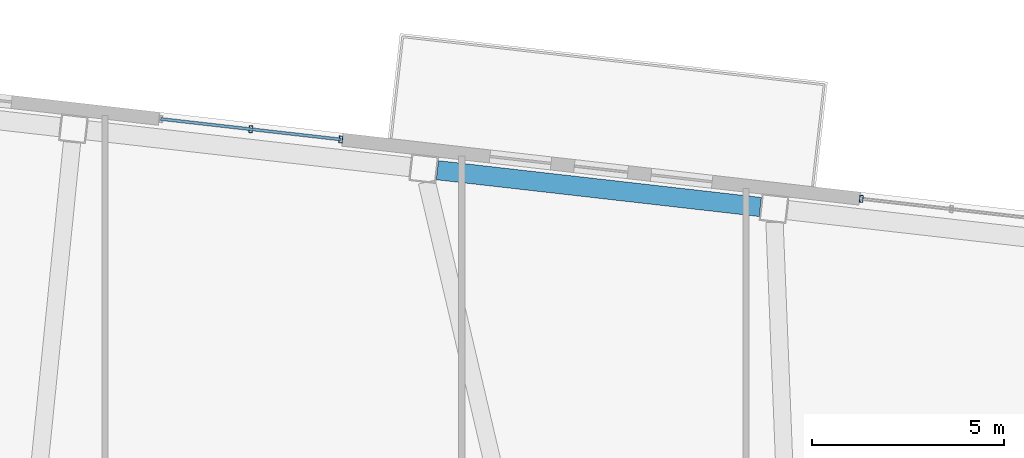
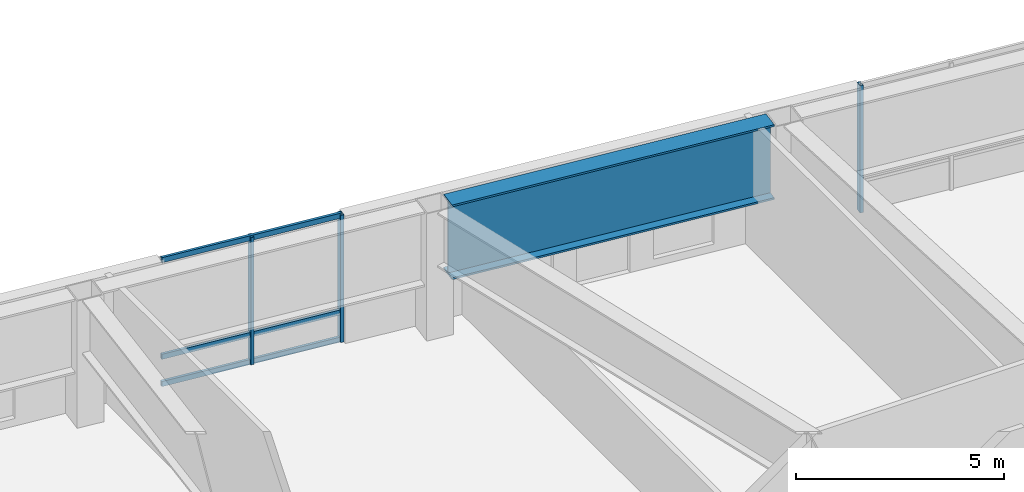
# One storey, part 8 of 21: 6 members, 1 beam, 2 elements without a shape of their own.
"""IFC4 building model written with IfcOpenShell, lengths in metres."""

from ifc_helpers import new_model, si_unit, direction, frame, origin, origin_2d, place, context, subcontext, project, spatial, hollow_rectangle, i_section, extrude, material, layer, layer_set, material_profile, profile_set, type_object, element, aggregate, save


model = new_model("IFC4")

# Units and contexts
model_context = context("Model", 3, precision=1e-05, world=origin(), true_north=direction((0.0, 1.0)))
body_context = subcontext(model_context, "Body", "Model", "MODEL_VIEW")
ifc_project = project(units=[si_unit("LENGTHUNIT", "METRE"), si_unit("AREAUNIT", "SQUARE_METRE"), si_unit("VOLUMEUNIT", "CUBIC_METRE"), si_unit("PLANEANGLEUNIT", "RADIAN"), si_unit("MASSUNIT", "GRAM", prefix="KILO")], contexts=[model_context])

# Site, building, storey
site_placement = place(None, origin())
site = spatial("IfcSite", under=ifc_project, at=site_placement, CompositionType="ELEMENT")
building_placement = place(site_placement, origin())
building = spatial("IfcBuilding", under=site, at=building_placement, Name="Tavrogorsk Clinical Tower", CompositionType="ELEMENT")
storey_placement = place(building_placement, frame((0.0, 0.0, 89.39990234375)))
storey = spatial("IfcBuildingStorey", under=building, at=storey_placement, Name="L19", CompositionType="ELEMENT", Elevation=89.39990234375)

# Curtain wall, members
ifc_material_1 = material(Name="Anodised aluminium and triple IGU glazing", Category="aluminium")
ifc_layer = layer(ifc_material_1, 0.179931640625)
ifc_layer_set = layer_set([ifc_layer], Name="Anodised aluminium and triple IGU glazing")
curtain_wall_type = type_object("IfcCurtainWallType", Name="CW2_NorthSlot", PredefinedType="NOTDEFINED", material=ifc_layer_set)
curtain_wall_1_placement = place(storey_placement, origin())
curtain_wall_1 = element("IfcCurtainWall", 1, at=curtain_wall_1_placement, inside=storey, type_object=curtain_wall_type, Name="L19 Curtain Wall CW-L19-N-SLOT-1", PredefinedType="NOTDEFINED")
ifc_material_2 = material(Name="Anodised aluminium alloy AW-6060", Category="aluminium")
ifc_material_profile_1 = material_profile(ifc_material_2, hollow_rectangle(XDim=0.090087890625, YDim=0.179931640625, WallThickness=0.00634765625, at=origin_2d()), Name="RHS-180x90x6.3")
ifc_profile_set_1 = profile_set([ifc_material_profile_1], Name="Anodised aluminium alloy AW-6060")
member_type_1 = type_object("IfcMemberType", Name="CwMullion_180x90", PredefinedType="MULLION", material=ifc_profile_set_1)
member_1_placement = place(storey_placement, frame((-1.586181640625, 23.443603515625, 0.0), z_axis=(0.0, 0.0, 1.0), x_axis=(-0.993571858269, 0.113203191016, 0.0)))
member_1 = element("IfcMember", 2, at=member_1_placement, type_object=member_type_1, Name="CW-L19-N-SLOT-1 Mullion 1", PredefinedType="MULLION", context=body_context, shape_type="SweptSolid", body=[
    extrude(hollow_rectangle(XDim=0.090087890625, YDim=0.179931640625, WallThickness=0.00634765625, at=origin_2d()), origin(), (0.0, 0.0, 1.0), 3.739990234375),
])
member_2_placement = place(storey_placement, frame((-3.929931640625, 23.71044921875, 0.0), z_axis=(0.0, 0.0, 1.0), x_axis=(-0.993571858269, 0.113203191016, 0.0)))
member_2 = element("IfcMember", 3, at=member_2_placement, type_object=member_type_1, Name="CW-L19-N-SLOT-1 Mullion 2", PredefinedType="MULLION", context=body_context, shape_type="SweptSolid", body=[
    extrude(hollow_rectangle(XDim=0.090087890625, YDim=0.179931640625, WallThickness=0.00634765625, at=origin_2d()), origin(), (0.0, 0.0, 1.0), 3.739990234375),
])

# Curtain wall, member
curtain_wall_2_placement = place(storey_placement, origin())
curtain_wall_2 = element("IfcCurtainWall", 4, at=curtain_wall_2_placement, inside=storey, type_object=curtain_wall_type, Name="L19 Curtain Wall CW-L19-N-SLOT-2", PredefinedType="NOTDEFINED")
member_3_placement = place(storey_placement, frame((11.962646484375, 21.89990234375, 0.0), z_axis=(0.0, 0.0, 1.0), x_axis=(-0.993571855603, 0.11320321441, 0.0)))
member_3 = element("IfcMember", 5, at=member_3_placement, type_object=member_type_1, Name="CW-L19-N-SLOT-2 Mullion 3", PredefinedType="MULLION", context=body_context, shape_type="SweptSolid", body=[
    extrude(hollow_rectangle(XDim=0.090087890625, YDim=0.179931640625, WallThickness=0.00634765625, at=origin_2d()), origin(), (0.0, 0.0, 1.0), 3.739990234375),
])
aggregate(curtain_wall_2, [member_3])

# Member
ifc_material_3 = material(Name="Anodised aluminium alloy AW-6060", Category="aluminium")
ifc_material_profile_2 = material_profile(ifc_material_3, hollow_rectangle(XDim=0.074951171875, YDim=0.14990234375, WallThickness=0.0048828125, at=origin_2d()), Name="RHS-150x75x5")
ifc_profile_set_2 = profile_set([ifc_material_profile_2], Name="Anodised aluminium alloy AW-6060")
member_type_2 = type_object("IfcMemberType", Name="CwTransom_150x75", PredefinedType="USERDEFINED", material=ifc_profile_set_2)
member_4_placement = place(storey_placement, frame((-1.586181640625, 23.443603515625, 0.050048828125), z_axis=(-0.993575136134, 0.11317441785, 0.0), x_axis=(-0.11317441785, -0.993575136134, 0.0)))
member_4 = element("IfcMember", 6, at=member_4_placement, type_object=member_type_2, Name="CW-L19-N-SLOT-1 Transom 1", ObjectType="TRANSOM", PredefinedType="USERDEFINED", context=body_context, shape_type="SweptSolid", body=[
    extrude(hollow_rectangle(XDim=0.074951171875, YDim=0.14990234375, WallThickness=0.0048828125, at=origin_2d()), origin(), (0.0, 0.0, 1.0), 4.7177734375),
])

member_5_placement = place(storey_placement, frame((-1.586181640625, 23.443603515625, 0.85009765625), z_axis=(-0.993575136134, 0.11317441785, 0.0), x_axis=(-0.11317441785, -0.993575136134, 0.0)))
member_5 = element("IfcMember", 7, at=member_5_placement, type_object=member_type_2, Name="CW-L19-N-SLOT-1 Transom 2", ObjectType="TRANSOM", PredefinedType="USERDEFINED", context=body_context, shape_type="SweptSolid", body=[
    extrude(hollow_rectangle(XDim=0.074951171875, YDim=0.14990234375, WallThickness=0.0048828125, at=origin_2d()), origin(), (0.0, 0.0, 1.0), 4.7177734375),
])

member_6_placement = place(storey_placement, frame((-1.586181640625, 23.443603515625, 3.690185546875), z_axis=(-0.993575136134, 0.11317441785, 0.0), x_axis=(-0.11317441785, -0.993575136134, 0.0)))
member_6 = element("IfcMember", 8, at=member_6_placement, type_object=member_type_2, Name="CW-L19-N-SLOT-1 Transom 3", ObjectType="TRANSOM", PredefinedType="USERDEFINED", context=body_context, shape_type="SweptSolid", body=[
    extrude(hollow_rectangle(XDim=0.074951171875, YDim=0.14990234375, WallThickness=0.0048828125, at=origin_2d()), origin(), (0.0, 0.0, 1.0), 4.7177734375),
])

aggregate(curtain_wall_1, [member_1, member_2, member_4, member_5, member_6])

# Beam
ifc_material_4 = material(Name="Structural steel S440", Category="steel")
ifc_material_profile_3 = material_profile(ifc_material_4, i_section(OverallWidth=0.5, OverallDepth=2.199951171875, WebThickness=0.035888671875, FlangeThickness=0.054931640625, at=origin_2d()), Name="DK-2200x500x36x55")
ifc_profile_set_3 = profile_set([ifc_material_profile_3], Name="Structural steel S440")
beam_type = type_object("IfcBeamType", Name="TransferGirder_DK2200", PredefinedType="USERDEFINED", material=ifc_profile_set_3)
beam_placement = place(storey_placement, frame((9.333984375, 21.68603515625, 2.64013671875), z_axis=(-0.99357306506, 0.113192598642, 0.0), x_axis=(-0.113192598642, -0.99357306506, 0.0)))
element("IfcBeam", 9, at=beam_placement, inside=storey, type_object=beam_type, Name="L19 Perimeter Spandrel N4-N5", ObjectType="GIRDER", PredefinedType="USERDEFINED", context=body_context, shape_type="SweptSolid", body=[
    extrude(i_section(OverallWidth=0.5, OverallDepth=2.199951171875, WebThickness=0.035888671875, FlangeThickness=0.054931640625, at=origin_2d()), origin(), (0.0, 0.0, 1.0), 8.46142578125),
])

save(model, "model.ifc")
